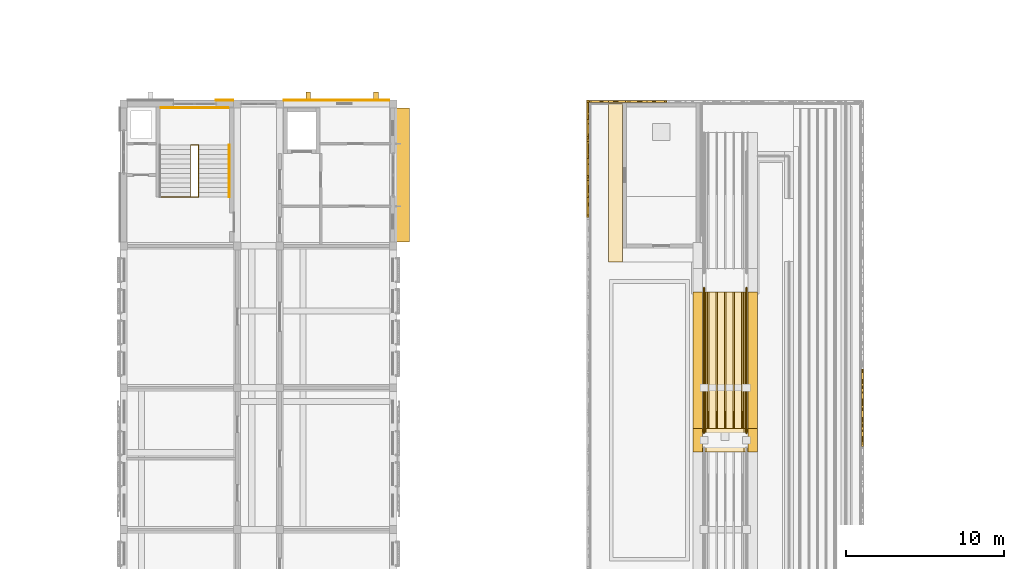
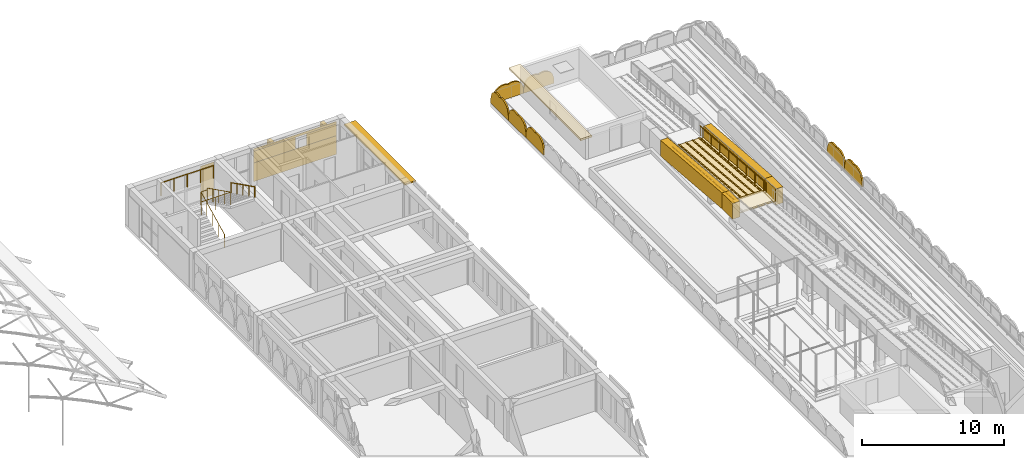
# One storey, part 49 of 50: 21 coverings, 8 shading devices, 5 railings.
"""IFC4 building model written with IfcOpenShell, lengths in metres."""

from ifc_helpers import new_model, si_unit, direction, frame, origin, origin_2d, place, context, subcontext, project, spatial, polyline, rectangle, circle, outline, extrude, material, layer, layer_set, type_object, element, save


model = new_model("IFC4")

# Units and contexts
model_context = context("Model", 3, precision=1e-05, world=origin(), true_north=direction((0.0, 1.0)))
body_context = subcontext(model_context, "Body", "Model", "MODEL_VIEW")
ifc_project = project(units=[si_unit("LENGTHUNIT", "METRE"), si_unit("AREAUNIT", "SQUARE_METRE"), si_unit("VOLUMEUNIT", "CUBIC_METRE"), si_unit("PLANEANGLEUNIT", "RADIAN"), si_unit("MASSUNIT", "GRAM", prefix="KILO")], contexts=[model_context])

# Site, building, storey
site_placement = place(None, origin())
site = spatial("IfcSite", under=ifc_project, at=site_placement, CompositionType="ELEMENT")
building_placement = place(site_placement, origin())
building = spatial("IfcBuilding", under=site, at=building_placement, Name="Elbe Cascade School", CompositionType="ELEMENT")
storey_placement = place(building_placement, frame((0.0, 0.0, 15.300048828125)))
storey = spatial("IfcBuildingStorey", under=building, at=storey_placement, Name="L04", CompositionType="ELEMENT", Elevation=15.300048828125)

# Railings
ifc_material_1 = material(Name="Steel S355J2H, painted", Category="steel")
railing_type_1 = type_object("IfcRailingType", Name="Bar stair guard 1100", PredefinedType="GUARDRAIL", material=ifc_material_1)
railing_1_placement = place(storey_placement, frame((73.25, 54.10009765625, 0.14990234375)))
element("IfcRailing", 1, at=railing_1_placement, inside=storey, type_object=railing_type_1, Name="Stair guard A4.N", PredefinedType="GUARDRAIL", context=body_context, shape_type="SweptSolid", body=[
    extrude(circle(Radius=0.02392578125, at=origin_2d()), frame((0.0, 0.0, 1.09619140625), z_axis=(0.0, 0.894400720042, 0.447266533499), x_axis=(-1.0, 0.0, 0.0)), (0.0, 0.0, 1.0), 3.689453125),
    extrude(circle(Radius=0.02392578125, at=origin_2d()), frame((0.0, 3.2998046875, 2.74609375), z_axis=(1.0, 0.0, 0.0), x_axis=(0.0, 1.0, 0.0)), (0.0, 0.0, 1.0), 0.5),
    extrude(circle(Radius=0.02392578125, at=origin_2d()), frame((0.5, 3.2998046875, 2.74609375), z_axis=(0.0, 0.0, 1.0), x_axis=(1.0, 0.0, 0.0)), (0.0, 0.0, 1.0), 0.14990234375),
    extrude(circle(Radius=0.02392578125, at=origin_2d()), frame((0.5, 3.2998046875, 2.89599609375), z_axis=(0.0, -0.894427191, 0.4472135955), x_axis=(1.0, 0.0, 0.0)), (0.0, 0.0, 1.0), 3.689208984375),
    extrude(circle(Radius=0.02392578125, at=origin_2d()), frame((0.5, 0.0, 4.5458984375), z_axis=(-1.0, 0.0, 0.0), x_axis=(0.0, -1.0, 0.0)), (0.0, 0.0, 1.0), 2.389892578125),
    extrude(circle(Radius=0.02099609375, at=origin_2d()), origin(), (0.0, 0.0, 1.0), 1.072021484375),
    extrude(circle(Radius=0.02099609375, at=origin_2d()), frame((0.0, 0.824951171875, 0.41259765625)), (0.0, 0.0, 1.0), 1.072021484375),
    extrude(circle(Radius=0.02099609375, at=origin_2d()), frame((0.0, 1.64990234375, 0.8251953125)), (0.0, 0.0, 1.0), 1.072021484375),
    extrude(circle(Radius=0.02099609375, at=origin_2d()), frame((0.0, 2.474853515625, 1.237548828125)), (0.0, 0.0, 1.0), 1.072021484375),
    extrude(circle(Radius=0.02099609375, at=origin_2d()), frame((0.0, 3.2998046875, 1.650146484375)), (0.0, 0.0, 1.0), 1.072021484375),
    extrude(circle(Radius=0.02099609375, at=origin_2d()), frame((0.5, 3.2998046875, 1.650146484375)), (0.0, 0.0, 1.0), 1.072021484375),
    extrude(circle(Radius=0.02099609375, at=origin_2d()), frame((0.5, 3.2998046875, 1.800048828125)), (0.0, 0.0, 1.0), 1.072021484375),
    extrude(circle(Radius=0.02099609375, at=origin_2d()), frame((0.5, 2.474853515625, 2.21240234375)), (0.0, 0.0, 1.0), 1.072021484375),
    extrude(circle(Radius=0.02099609375, at=origin_2d()), frame((0.5, 1.64990234375, 2.625)), (0.0, 0.0, 1.0), 1.072021484375),
    extrude(circle(Radius=0.02099609375, at=origin_2d()), frame((0.5, 0.824951171875, 3.03759765625)), (0.0, 0.0, 1.0), 1.072021484375),
    extrude(circle(Radius=0.02099609375, at=origin_2d()), frame((0.5, 0.0, 3.449951171875)), (0.0, 0.0, 1.0), 1.072021484375),
    extrude(circle(Radius=0.02099609375, at=origin_2d()), frame((-0.69482421875, 0.0, 3.449951171875)), (0.0, 0.0, 1.0), 1.072021484375),
    extrude(circle(Radius=0.02099609375, at=origin_2d()), frame((-1.889892578125, 0.0, 3.449951171875)), (0.0, 0.0, 1.0), 1.072021484375),
])
railing_2_placement = place(storey_placement, frame((71.360107421875, 59.760009765625, 1.800048828125)))
element("IfcRailing", 2, at=railing_2_placement, inside=storey, type_object=railing_type_1, Name="Stair guard A4.N", PredefinedType="GUARDRAIL", context=body_context, shape_type="SweptSolid", body=[
    extrude(circle(Radius=0.02392578125, at=origin_2d()), frame((0.0, 0.0, 1.09619140625), z_axis=(1.0, 0.0, 0.0), x_axis=(0.0, 1.0, 0.0)), (0.0, 0.0, 1.0), 4.27978515625),
    extrude(circle(Radius=0.02099609375, at=origin_2d()), origin(), (0.0, 0.0, 1.0), 1.072021484375),
    extrude(circle(Radius=0.02099609375, at=origin_2d()), frame((1.06982421875, 0.0, 0.0)), (0.0, 0.0, 1.0), 1.072021484375),
    extrude(circle(Radius=0.02099609375, at=origin_2d()), frame((2.139892578125, 0.0, 0.0)), (0.0, 0.0, 1.0), 1.072021484375),
    extrude(circle(Radius=0.02099609375, at=origin_2d()), frame((3.2099609375, 0.0, 0.0)), (0.0, 0.0, 1.0), 1.072021484375),
    extrude(circle(Radius=0.02099609375, at=origin_2d()), frame((4.27978515625, 0.0, 0.0)), (0.0, 0.0, 1.0), 1.072021484375),
])
ifc_material_2 = material(Name="Steel S355J2H, painted", Category="steel")
railing_type_2 = type_object("IfcRailingType", Name="Bar stair handrail 900", PredefinedType="HANDRAIL", material=ifc_material_2)
railing_3_placement = place(storey_placement, frame((75.699951171875, 57.39990234375, 1.949951171875)))
element("IfcRailing", 3, at=railing_3_placement, inside=storey, type_object=railing_type_2, Name="Stair handrail A4.N", PredefinedType="HANDRAIL", context=body_context, shape_type="SweptSolid", body=[
    extrude(circle(Radius=0.02392578125, at=origin_2d()), frame((0.0, 0.0, 0.8759765625), z_axis=(0.0, -0.894427191, 0.4472135955), x_axis=(1.0, 0.0, 0.0)), (0.0, 0.0, 1.0), 3.689208984375),
    extrude(circle(Radius=0.02099609375, at=origin_2d()), origin(), (0.0, 0.0, 1.0), 0.851806640625),
    extrude(circle(Radius=0.02099609375, at=origin_2d()), frame((0.0, -0.824951171875, 0.41259765625)), (0.0, 0.0, 1.0), 0.851806640625),
    extrude(circle(Radius=0.02099609375, at=origin_2d()), frame((0.0, -1.64990234375, 0.824951171875)), (0.0, 0.0, 1.0), 0.851806640625),
    extrude(circle(Radius=0.02099609375, at=origin_2d()), frame((0.0, -2.474853515625, 1.2373046875)), (0.0, 0.0, 1.0), 0.851806640625),
    extrude(circle(Radius=0.02099609375, at=origin_2d()), frame((0.0, -3.2998046875, 1.64990234375)), (0.0, 0.0, 1.0), 0.851806640625),
])

# Shading devices
ifc_material_3 = material(Name="Precast concrete C40/50", Category="concrete")
ifc_layer_1 = layer(ifc_material_3, 0.1201171875)
ifc_layer_set_1 = layer_set([ifc_layer_1], Name="Precast concrete C40/50")
shading_device_type_1 = type_object("IfcShadingDeviceType", Name="Bars envelope Attic jali screen, pointed arch top, pierced precast concrete, 1200 high", PredefinedType="USERDEFINED", material=ifc_layer_set_1)
shading_device_1_placement = place(storey_placement, frame((98.3798828125, 52.818115234375, 0.39990234375), z_axis=(-1.0, 0.0, 0.0), x_axis=(0.0, 0.296914729778, 0.954903996871)))
element("IfcShadingDevice", 4, at=shading_device_1_placement, inside=storey, type_object=shading_device_type_1, Name="Attic jali screen SD1 B.L04.w20", ObjectType="JALI", PredefinedType="USERDEFINED", context=body_context, shape_type="SweptSolid", body=[
    extrude(outline(polyline([(0.0, 0.0), (0.5213118135497831, 2.7755575615628914e-17), (0.730927669136395, 0.09691772307437502), (0.8774375509870718, 0.2137130818339548), (0.9849420905019789, 0.3423809640007578), (1.0621396183974305, 0.48047240936850977), (1.1125995865002938, 0.6271332145803277), (1.1364101477737811, 0.7818246289712897), (1.1317787442967022, 0.9453596949816039), (1.2283261334568831, 1.0774345576902884), (1.296431557866498, 1.218353072018325), (1.3379600643944363, 1.3675353263841168), (1.3526785221820867, 1.5250538097353636), (1.3371624572979814, 1.6922289871461704), (1.282641050078106, 1.8712766879642004), (1.1649411801745964, 2.069968893608824), (0.7355453523079154, 2.365578822327823), (0.3536770059027736, 2.4843157186597797), (-0.3818683464051418, 0.11873689633195678), (0.0, 0.0)])), origin(), (0.0, 0.0, -1.0), 0.1201171875),
])
shading_device_2_placement = place(storey_placement, frame((98.3798828125, 55.29541015625, 0.39990234375), z_axis=(-1.0, 0.0, 0.0), x_axis=(0.0, 0.296914729778, 0.954903996871)))
element("IfcShadingDevice", 5, at=shading_device_2_placement, inside=storey, type_object=shading_device_type_1, Name="Attic jali screen SD1 B.L04.w21", ObjectType="JALI", PredefinedType="USERDEFINED", context=body_context, shape_type="SweptSolid", body=[
    extrude(outline(polyline([(0.0, 0.0), (0.5213118135497831, 2.7755575615628914e-17), (0.730927669136395, 0.09691772307437502), (0.8774375509870718, 0.2137130818339548), (0.9849420905019789, 0.3423809640007578), (1.0621396183974305, 0.48047240936850977), (1.1125270975525943, 0.6269000837217165), (1.1364101477737811, 0.7818246289712897), (1.1317787442967022, 0.9453596949816039), (1.2283261334568831, 1.0774345576902884), (1.296431557866498, 1.218353072018325), (1.3379600643944363, 1.3675353263841168), (1.3526785221820867, 1.5250538097353636), (1.3370899683502817, 1.6919958562875592), (1.282641050078106, 1.8712766879642004), (1.1649411801745964, 2.069968893608824), (0.7355453523079154, 2.365578822327823), (0.3536770059027736, 2.4843157186597797), (-0.3818683464051418, 0.11873689633195678), (0.0, 0.0)])), origin(), (0.0, 0.0, -1.0), 0.1201171875),
])
shading_device_3_placement = place(storey_placement, frame((98.3798828125, 57.772705078125, 0.39990234375), z_axis=(-1.0, 0.0, 0.0), x_axis=(0.0, 0.296914729778, 0.954903996871)))
element("IfcShadingDevice", 6, at=shading_device_3_placement, inside=storey, type_object=shading_device_type_1, Name="Attic jali screen SD1 B.L04.w22", ObjectType="JALI", PredefinedType="USERDEFINED", context=body_context, shape_type="SweptSolid", body=[
    extrude(outline(polyline([(0.0, 0.0), (0.5213118135497831, 2.7755575615628914e-17), (0.7310001580840946, 0.09715085393298623), (0.8774375509870718, 0.2137130818339548), (0.9849420905019789, 0.3423809640007578), (1.0621396183974305, 0.48047240936850977), (1.1125270975525943, 0.6269000837217165), (1.1363376588260814, 0.7815914981126785), (1.1317787442967022, 0.9453596949816039), (1.2283261334568831, 1.0774345576902884), (1.296431557866498, 1.218353072018325), (1.3379600643944363, 1.3675353263841168), (1.3526785221820867, 1.5250538097353636), (1.3370899683502817, 1.6919958562875592), (1.2825685611304065, 1.8710435571055892), (1.1649411801745964, 2.069968893608824), (0.7355453523079154, 2.365578822327823), (0.3536770059027736, 2.4843157186597797), (-0.3818683464051418, 0.11873689633195678), (0.0, 0.0)])), origin(), (0.0, 0.0, -1.0), 0.1201171875),
])
shading_device_4_placement = place(storey_placement, frame((115.919921875, 38.28564453125, 0.0), z_axis=(1.0, 0.0, 0.0), x_axis=(0.0, 1.0, 0.0)))
element("IfcShadingDevice", 7, at=shading_device_4_placement, inside=storey, type_object=shading_device_type_1, Name="Attic jali screen SD1 B.L04.e14", ObjectType="JALI", PredefinedType="USERDEFINED", context=body_context, shape_type="SweptSolid", body=[
    extrude(outline(polyline([(0.0, 0.0), (2.440673828125, 0.0), (2.440673828125, 0.39990234375), (2.2880859375, 0.892822265625), (2.135498046875, 1.062744140625), (1.98291015625, 1.16748046875), (1.83056640625, 1.23193359375), (1.677734375, 1.265380859375), (1.525390625, 1.271240234375), (1.372802734375, 1.250244140625), (1.220458984375, 1.199951171875), (1.06787109375, 1.250244140625), (0.915283203125, 1.271240234375), (0.7626953125, 1.265380859375), (0.610107421875, 1.23193359375), (0.457763671875, 1.16748046875), (0.30517578125, 1.062744140625), (0.152587890625, 0.892822265625), (0.0, 0.39990234375), (0.0, 0.0)])), origin(), (0.0, 0.0, -1.0), 0.1201171875),
])
shading_device_5_placement = place(storey_placement, frame((115.919921875, 40.726318359375, 0.0), z_axis=(1.0, 0.0, 0.0), x_axis=(0.0, 1.0, 0.0)))
element("IfcShadingDevice", 8, at=shading_device_5_placement, inside=storey, type_object=shading_device_type_1, Name="Attic jali screen SD1 B.L04.e15", ObjectType="JALI", PredefinedType="USERDEFINED", context=body_context, shape_type="SweptSolid", body=[
    extrude(outline(polyline([(0.0, 0.0), (2.4404296875, 0.0), (2.4404296875, 0.39990234375), (2.287841796875, 0.892822265625), (2.13525390625, 1.062744140625), (1.982666015625, 1.16748046875), (1.830078125, 1.23193359375), (1.677734375, 1.265380859375), (1.525146484375, 1.271240234375), (1.372802734375, 1.250244140625), (1.219970703125, 1.199951171875), (1.067626953125, 1.250244140625), (0.9150390625, 1.271240234375), (0.762451171875, 1.265380859375), (0.60986328125, 1.23193359375), (0.45751953125, 1.16748046875), (0.304931640625, 1.062744140625), (0.15234375, 0.892822265625), (0.0, 0.39990234375), (0.0, 0.0)])), origin(), (0.0, 0.0, -1.0), 0.1201171875),
])
shading_device_6_placement = place(storey_placement, frame((98.5, 60.219970703125, 0.39990234375), z_axis=(0.0, 1.0, 0.0), x_axis=(0.296885994804, 0.0, 0.954912931156)))
element("IfcShadingDevice", 9, at=shading_device_6_placement, inside=storey, type_object=shading_device_type_1, Name="Attic jali screen SD1 B.L04.n1", ObjectType="JALI", PredefinedType="USERDEFINED", context=body_context, shape_type="SweptSolid", body=[
    extrude(outline(polyline([(0.0, 0.0), (0.5205399322619295, 0.0), (0.7297747744144588, 0.09653024661443438), (0.8759030447045664, 0.21293622992885647), (0.9833312303823933, 0.34137421400927725), (1.060612771989436, 0.4789292343198281), (1.1111564959480074, 0.6250528098876207), (1.1353561864054482, 0.7793668438081713), (1.1308080310311026, 0.9423630223649005), (1.227045830796945, 1.0742801391969354), (1.2946082666633263, 1.2151125337049815), (1.3358266690285774, 1.3641353865657857), (1.350162289880706, 1.521260528604166), (1.3344962305267012, 1.6879689729523422), (1.280130086560416, 1.8667094180665167), (1.162512406867058, 2.0648593338010137), (0.7337346009289507, 2.3600057622296102), (0.3518626816824722, 2.4787311673784416), (-0.3818719192464785, 0.1187254051488315), (0.0, 0.0)])), origin(), (0.0, 0.0, -1.0), 0.1201171875),
])
shading_device_7_placement = place(storey_placement, frame((100.971435546875, 60.219970703125, 0.39990234375), z_axis=(0.0, 1.0, 0.0), x_axis=(0.296885994804, 0.0, 0.954912931156)))
element("IfcShadingDevice", 10, at=shading_device_7_placement, inside=storey, type_object=shading_device_type_1, Name="Attic jali screen SD1 B.L04.n2", ObjectType="JALI", PredefinedType="USERDEFINED", context=body_context, shape_type="SweptSolid", body=[
    extrude(outline(polyline([(0.0, 0.0), (0.5205399322619295, 0.0), (0.7298472563467842, 0.0967633796542674), (0.8759030447045664, 0.21293622992885647), (0.9833312303823933, 0.34137421400927725), (1.0606852539217615, 0.47916236735966106), (1.1111564959480074, 0.6250528098876207), (1.1353561864054482, 0.7793668438081713), (1.1308080310311026, 0.9423630223649005), (1.227045830796945, 1.0742801391969354), (1.2946082666633263, 1.2151125337049815), (1.335754187096252, 1.3639022535259528), (1.350162289880706, 1.521260528604166), (1.3344962305267012, 1.6879689729523422), (1.2800576046280905, 1.8664762850266836), (1.162512406867058, 2.0648593338010137), (0.7337346009289507, 2.3600057622296102), (0.3518626816824722, 2.4787311673784416), (-0.3818719192464785, 0.1187254051488315), (0.0, 0.0)])), origin(), (0.0, 0.0, -1.0), 0.1201171875),
])
ifc_material_4 = material(Name="Precast concrete C30/37", Category="concrete")
ifc_layer_2 = layer(ifc_material_4, 0.1201171875)
ifc_layer_set_2 = layer_set([ifc_layer_2], Name="Precast concrete C30/37")
shading_device_type_2 = type_object("IfcShadingDeviceType", Name="Bars envelope Chhajja eave, precast concrete, 900 x 120", PredefinedType="USERDEFINED", material=ifc_layer_set_2)
shading_device_8_placement = place(storey_placement, frame((86.669921875, 55.5, 2.6298828125), z_axis=(0.0, 0.0, 1.0), x_axis=(0.0, 1.0, 0.0)))
element("IfcShadingDevice", 11, at=shading_device_8_placement, inside=storey, type_object=shading_device_type_2, Name="Chhajja eave SD2 A.L04.e6", ObjectType="CHHAJJA", PredefinedType="USERDEFINED", context=body_context, shape_type="SweptSolid", body=[
    extrude(rectangle(XDim=8.5, YDim=0.89990234375, at=origin_2d()), origin(), (0.0, 0.0, 1.0), 0.1201171875),
])

# Coverings
ifc_material_5 = material(Name="Precast concrete C40/50", Category="concrete")
covering_type_1 = type_object("IfcCoveringType", Name="Bars envelope Precast concrete gable fin, 300 wide, 500 deep", PredefinedType="CLADDING", material=ifc_material_5)
for number, where, z_axis, x_axis, name in (
    (12, (80.699951171875, 60.510009765625, 0.0), (0.0, 0.0, 1.0), (1.0, 0.0, 0.0), "Fin CV50 A.L04.n.2"),
    (13, (85.0, 60.510009765625, 0.0), (0.0, 0.0, 1.0), (1.0, 0.0, 0.0), "Fin CV50 A.L04.n.3"),
):
    element("IfcCovering", number, at=place(storey_placement, frame(where, z_axis=z_axis, x_axis=x_axis)), inside=storey, type_object=covering_type_1, Name=name, PredefinedType="CLADDING", context=body_context, shape_type="SweptSolid", body=[
        extrude(rectangle(XDim=0.300048828125, YDim=0.5, at=origin_2d()), origin(), (0.0, 0.0, 1.0), 2.800048828125),
    ])
ifc_material_6 = material(Name="Sandstone - red", Category="masonry")
ifc_layer_3 = layer(ifc_material_6, 0.0400390625)
ifc_layer_set_3 = layer_set([ifc_layer_3], Name="Sandstone - red")
covering_type_2 = type_object("IfcCoveringType", Name="Bars envelope Sandstone cladding, red, 40 mm", PredefinedType="CLADDING", material=ifc_layer_set_3)
covering_1_placement = place(storey_placement, frame((75.39990234375, 60.239990234375, 0.0), z_axis=(0.0, 0.0, 1.0), x_axis=(1.0, 0.0, 0.0)))
element("IfcCovering", 14, at=covering_1_placement, inside=storey, type_object=covering_type_2, Name="Sandstone cladding CV48 A.L04.n.1b.1", PredefinedType="CLADDING", context=body_context, shape_type="SweptSolid", body=[
    extrude(rectangle(XDim=1.10009765625, YDim=0.0400390625, at=origin_2d()), origin(), (0.0, 0.0, 1.0), 2.800048828125),
])
covering_2_placement = place(storey_placement, frame((82.5, 60.239990234375, 0.0), z_axis=(0.0, 0.0, 1.0), x_axis=(1.0, 0.0, 0.0)))
element("IfcCovering", 15, at=covering_2_placement, inside=storey, type_object=covering_type_2, Name="Sandstone cladding CV48 A.L04.n.3.1", PredefinedType="CLADDING", context=body_context, shape_type="SweptSolid", body=[
    extrude(rectangle(XDim=6.699951171875, YDim=0.0400390625, at=origin_2d()), origin(), (0.0, 0.0, 1.0), 1.60009765625),
])
covering_3_placement = place(storey_placement, frame((80.85009765625, 60.239990234375, 1.599853515625), z_axis=(0.0, 0.0, 1.0), x_axis=(1.0, 0.0, 0.0)))
element("IfcCovering", 16, at=covering_3_placement, inside=storey, type_object=covering_type_2, Name="Sandstone cladding CV48 A.L04.n.3.2", PredefinedType="CLADDING", context=body_context, shape_type="SweptSolid", body=[
    extrude(rectangle(XDim=3.39990234375, YDim=0.0400390625, at=origin_2d()), origin(), (0.0, 0.0, 1.0), 1.0),
])
covering_4_placement = place(storey_placement, frame((84.64990234375, 60.239990234375, 1.599853515625), z_axis=(0.0, 0.0, 1.0), x_axis=(1.0, 0.0, 0.0)))
element("IfcCovering", 17, at=covering_4_placement, inside=storey, type_object=covering_type_2, Name="Sandstone cladding CV48 A.L04.n.3.3", PredefinedType="CLADDING", context=body_context, shape_type="SweptSolid", body=[
    extrude(rectangle(XDim=2.39990234375, YDim=0.0400390625, at=origin_2d()), origin(), (0.0, 0.0, 1.0), 1.0),
])
covering_5_placement = place(storey_placement, frame((82.5, 60.239990234375, 2.60009765625), z_axis=(0.0, 0.0, 1.0), x_axis=(1.0, 0.0, 0.0)))
element("IfcCovering", 18, at=covering_5_placement, inside=storey, type_object=covering_type_2, Name="Sandstone cladding CV48 A.L04.n.3.4", PredefinedType="CLADDING", context=body_context, shape_type="SweptSolid", body=[
    extrude(rectangle(XDim=6.699951171875, YDim=0.0400390625, at=origin_2d()), origin(), (0.0, 0.0, 1.0), 0.199951171875),
])
ifc_material_7 = material(Name="Running track surfacing - white lines", Category="surfacing")
ifc_layer_4 = layer(ifc_material_7, 0.02001953125)
ifc_layer_set_4 = layer_set([ifc_layer_4], Name="Running track surfacing - white lines")
covering_type_3 = type_object("IfcCoveringType", Name="Lane marking 80", PredefinedType="FLOORING", material=ifc_layer_set_4)
covering_6_placement = place(storey_placement, frame((106.030029296875, 39.419921875, 1.679931640625), z_axis=(0.0, 0.083040819057, 0.996546146634), x_axis=(0.0, 0.996546146634, -0.083040819057)))
element("IfcCovering", 19, at=covering_6_placement, inside=storey, type_object=covering_type_3, Name="Lane marking B ramp flight 4 line 1", PredefinedType="FLOORING", context=body_context, shape_type="SweptSolid", body=[
    extrude(outline(polyline([(0.0, 0.0), (8.670081910342619, 0.0), (8.670081910342619, -0.080078125), (0.0, -0.080078125), (0.0, 0.0)])), origin(), (0.083040819057, 0.0, -0.996546146634), 0.02001953125),
])
for number, where, z_axis, x_axis, name in (
    (20, (106.570068359375, 39.419921875, 1.679931640625), (0.0, 0.083040819057, 0.996546146634), (0.0, 0.996546146634, -0.083040819057), "Lane marking B ramp flight 4 line 2"),
    (21, (107.110107421875, 39.419921875, 1.679931640625), (0.0, 0.083040819057, 0.996546146634), (0.0, 0.996546146634, -0.083040819057), "Lane marking B ramp flight 4 line 3"),
):
    element("IfcCovering", number, at=place(storey_placement, frame(where, z_axis=z_axis, x_axis=x_axis)), inside=storey, type_object=covering_type_3, Name=name, PredefinedType="FLOORING", context=body_context, shape_type="SweptSolid", body=[
        extrude(outline(polyline([(0.0, 0.0), (8.670081910342619, 0.0), (8.670081910342619, -0.079833984375), (0.0, -0.079833984375), (0.0, 0.0)])), origin(), (0.083040819057, 0.0, -0.996546146634), 0.02001953125),
    ])
for number, where, z_axis, x_axis, name in (
    (22, (107.64990234375, 39.419921875, 1.679931640625), (0.0, 0.083040819057, 0.996546146634), (0.0, 0.996546146634, -0.083040819057), "Lane marking B ramp flight 4 line 4"),
    (23, (108.18994140625, 39.419921875, 1.679931640625), (0.0, 0.083040819057, 0.996546146634), (0.0, 0.996546146634, -0.083040819057), "Lane marking B ramp flight 4 line 5"),
):
    element("IfcCovering", number, at=place(storey_placement, frame(where, z_axis=z_axis, x_axis=x_axis)), inside=storey, type_object=covering_type_3, Name=name, PredefinedType="FLOORING", context=body_context, shape_type="SweptSolid", body=[
        extrude(outline(polyline([(0.0, 0.0), (8.670081910342619, 0.0), (8.670081910342619, -0.080078125), (0.0, -0.080078125), (0.0, 0.0)])), origin(), (0.083040819057, 0.0, -0.996546146634), 0.02001953125),
    ])
ifc_material_8 = material(Name="Concrete C30/37 precast parapet", Category="concrete")
ifc_layer_5 = layer(ifc_material_8, 0.60009765625)
ifc_layer_set_5 = layer_set([ifc_layer_5], Name="Concrete C30/37 precast parapet")
covering_type_4 = type_object("IfcCoveringType", Name="Ramp and bridge parapet 600", PredefinedType="CLADDING", material=ifc_layer_set_5)
covering_7_placement = place(storey_placement, frame((0.0, 0.0, 1.199951171875)))
element("IfcCovering", 24, at=covering_7_placement, inside=storey, type_object=covering_type_4, Name="Ramp B landing 4 parapet w1", PredefinedType="CLADDING", context=body_context, shape_type="SweptSolid", body=[
    extrude(outline(polyline([(105.10009765625, 37.919921875), (105.699951171875, 37.919921875), (105.699951171875, 39.419921875), (105.10009765625, 39.419921875), (105.10009765625, 37.919921875)])), origin(), (0.0, 0.0, 1.0), 1.360107421875),
])
covering_8_placement = place(storey_placement, frame((105.10009765625, 39.419921875, 2.56005859375), z_axis=(0.0, 0.083068783756, 0.996543815979), x_axis=(0.0, 0.996543815979, -0.083068783756)))
element("IfcCovering", 25, at=covering_8_placement, inside=storey, type_object=covering_type_4, Name="Ramp B flight 4 parapet w1", PredefinedType="CLADDING", context=body_context, shape_type="SweptSolid", body=[
    extrude(outline(polyline([(0.0, 0.0), (8.670102187393748, 0.0), (8.670102187393748, -0.5998535156250001), (0.0, -0.5998535156250001), (0.0, 0.0)])), origin(), (0.083068783756, 0.0, -0.996543815979), 1.360107421875),
])
covering_9_placement = place(storey_placement, frame((0.0, 0.0, 1.199951171875)))
element("IfcCovering", 26, at=covering_9_placement, inside=storey, type_object=covering_type_4, Name="Ramp B landing 4 parapet e1", PredefinedType="CLADDING", context=body_context, shape_type="SweptSolid", body=[
    extrude(outline(polyline([(108.60009765625, 37.919921875), (109.199951171875, 37.919921875), (109.199951171875, 39.419921875), (108.60009765625, 39.419921875), (108.60009765625, 37.919921875)])), origin(), (0.0, 0.0, 1.0), 1.360107421875),
])
covering_10_placement = place(storey_placement, frame((108.60009765625, 39.419921875, 2.56005859375), z_axis=(0.0, 0.083068783756, 0.996543815979), x_axis=(0.0, 0.996543815979, -0.083068783756)))
element("IfcCovering", 27, at=covering_10_placement, inside=storey, type_object=covering_type_4, Name="Ramp B flight 4 parapet e1", PredefinedType="CLADDING", context=body_context, shape_type="SweptSolid", body=[
    extrude(outline(polyline([(0.0, 0.0), (8.670102187393748, 0.0), (8.670102187393748, -0.5998535156250001), (0.0, -0.5998535156250001), (0.0, 0.0)])), origin(), (0.083068783756, 0.0, -0.996543815979), 1.360107421875),
])
ifc_material_9 = material(Name="Precast concrete C30/37", Category="concrete")
ifc_layer_6 = layer(ifc_material_9, 0.14990234375)
ifc_layer_set_6 = layer_set([ifc_layer_6], Name="Precast concrete C30/37")
covering_type_5 = type_object("IfcCoveringType", Name="Roof head eave, precast concrete, 900 x 150", PredefinedType="USERDEFINED", material=ifc_layer_set_6)
covering_11_placement = place(storey_placement, frame((0.0, 0.0, 2.5)))
element("IfcCovering", 28, at=covering_11_placement, inside=storey, type_object=covering_type_5, Name="Stair head eave B.L04.north.w", ObjectType="EAVE", PredefinedType="USERDEFINED", context=body_context, shape_type="SweptSolid", body=[
    extrude(outline(polyline([(99.75, 49.97509765625), (100.64990234375, 49.97509765625), (100.64990234375, 60.070068359375), (99.75, 60.070068359375), (99.75, 49.97509765625)])), origin(), (0.0, 0.0, 1.0), 0.14990234375),
])
ifc_material_10 = material(Name="Running track surfacing - red", Category="surfacing")
ifc_layer_7 = layer(ifc_material_10, 0.10009765625)
ifc_layer_set_7 = layer_set([ifc_layer_7], Name="Running track surfacing - red")
covering_type_6 = type_object("IfcCoveringType", Name="Running track band 100", PredefinedType="USERDEFINED", material=ifc_layer_set_7)
covering_12_placement = place(storey_placement, frame((0.0, 0.0, 1.56005859375)))
element("IfcCovering", 29, at=covering_12_placement, inside=storey, type_object=covering_type_6, Name="Running track band B ramp landing 4", ObjectType="RUNNING TRACK", PredefinedType="USERDEFINED", context=body_context, shape_type="SweptSolid", body=[
    extrude(outline(polyline([(108.35009765625, 37.919921875), (108.35009765625, 39.419921875), (105.949951171875, 39.419921875), (105.949951171875, 37.919921875), (108.35009765625, 37.919921875)])), origin(), (0.0, 0.0, 1.0), 0.099853515625),
])
covering_13_placement = place(storey_placement, frame((105.949951171875, 39.419921875, 1.659912109375), z_axis=(0.0, 0.083040819057, 0.996546146634), x_axis=(0.0, 0.996546146634, -0.083040819057)))
element("IfcCovering", 30, at=covering_13_placement, inside=storey, type_object=covering_type_6, Name="Running track band B ramp flight 4", ObjectType="RUNNING TRACK", PredefinedType="USERDEFINED", context=body_context, shape_type="SweptSolid", body=[
    extrude(outline(polyline([(0.0, 0.0), (8.670081910342619, 0.0), (8.670081910342619, -2.400146484375), (0.0, -2.400146484375), (0.0, 0.0)])), origin(), (0.083040819057, 0.0, -0.996546146634), 0.10009765625),
])
ifc_material_11 = material(Name="Running track surfacing - red", Category="surfacing")
ifc_layer_8 = layer(ifc_material_11, 0.06005859375)
ifc_layer_set_8 = layer_set([ifc_layer_8], Name="Running track surfacing - red")
covering_type_7 = type_object("IfcCoveringType", Name="Running track surfacing 60", PredefinedType="USERDEFINED", material=ifc_layer_set_8)
covering_14_placement = place(storey_placement, frame((0.0, 0.0, 1.5)))
element("IfcCovering", 31, at=covering_14_placement, inside=storey, type_object=covering_type_7, Name="Running track B ramp landing 4", ObjectType="RUNNING TRACK", PredefinedType="USERDEFINED", context=body_context, shape_type="SweptSolid", body=[
    extrude(outline(polyline([(108.60009765625, 37.919921875), (108.60009765625, 39.419921875), (105.699951171875, 39.419921875), (105.699951171875, 37.919921875), (108.60009765625, 37.919921875)])), origin(), (0.0, 0.0, 1.0), 0.06005859375),
])
covering_15_placement = place(storey_placement, frame((105.699951171875, 39.419921875, 1.56005859375), z_axis=(0.0, 0.083068783756, 0.996543815979), x_axis=(0.0, 0.996543815979, -0.083068783756)))
element("IfcCovering", 32, at=covering_15_placement, inside=storey, type_object=covering_type_7, Name="Running track B ramp flight 4", ObjectType="RUNNING TRACK", PredefinedType="USERDEFINED", context=body_context, shape_type="SweptSolid", body=[
    extrude(outline(polyline([(0.0, 0.0), (8.670102187393748, 0.0), (8.670102187393748, -2.9001464843750004), (0.0, -2.9001464843750004), (0.0, 0.0)])), origin(), (0.083068783756, 0.0, -0.996543815979), 0.06005859375),
])

# Railings
ifc_material_12 = material(Name="Steel S355J2H", Category="steel")
railing_type_3 = type_object("IfcRailingType", Name="Track handrail 900", PredefinedType="HANDRAIL", material=ifc_material_12)
railing_4_placement = place(storey_placement, frame((108.5, 39.1201171875, 1.56005859375)))
element("IfcRailing", 33, at=railing_4_placement, inside=storey, type_object=railing_type_3, Name="Track handrail RL5 A-B south and east flight 4", PredefinedType="HANDRAIL", context=body_context, shape_type="SweptSolid", body=[
    extrude(circle(Radius=0.0400390625, at=origin_2d()), frame((0.0, 0.0, 0.85986328125), z_axis=(0.0, 1.0, 0.0), x_axis=(-1.0, 0.0, 0.0)), (0.0, 0.0, 1.0), 0.2998046875),
    extrude(circle(Radius=0.0400390625, at=origin_2d()), frame((0.0, 0.2998046875, 0.85986328125), z_axis=(0.0, 0.996543815979, -0.083068783756), x_axis=(-1.0, 0.0, 0.0)), (0.0, 0.0, 1.0), 8.670166015625),
    extrude(circle(Radius=0.0400390625, at=origin_2d()), frame((0.0, 8.93994140625, 0.1396484375), z_axis=(0.0, 1.0, 0.0), x_axis=(-1.0, 0.0, 0.0)), (0.0, 0.0, 1.0), 0.300048828125),
    extrude(circle(Radius=0.02099609375, at=origin_2d()), origin(), (0.0, 0.0, 1.0), 0.81982421875),
    extrude(circle(Radius=0.02099609375, at=origin_2d()), frame((0.0, 0.2998046875, 0.0)), (0.0, 0.0, 1.0), 0.81982421875),
    extrude(circle(Radius=0.02099609375, at=origin_2d()), frame((0.0, 1.5341796875, -0.102783203125)), (0.0, 0.0, 1.0), 0.81982421875),
    extrude(circle(Radius=0.02099609375, at=origin_2d()), frame((0.0, 2.768310546875, -0.205810546875)), (0.0, 0.0, 1.0), 0.81982421875),
    extrude(circle(Radius=0.02099609375, at=origin_2d()), frame((0.0, 4.002685546875, -0.30859375)), (0.0, 0.0, 1.0), 0.81982421875),
    extrude(circle(Radius=0.02099609375, at=origin_2d()), frame((0.0, 5.237060546875, -0.41162109375)), (0.0, 0.0, 1.0), 0.81982421875),
    extrude(circle(Radius=0.02099609375, at=origin_2d()), frame((0.0, 6.471435546875, -0.514404296875)), (0.0, 0.0, 1.0), 0.81982421875),
    extrude(circle(Radius=0.02099609375, at=origin_2d()), frame((0.0, 7.70556640625, -0.617431640625)), (0.0, 0.0, 1.0), 0.81982421875),
    extrude(circle(Radius=0.02099609375, at=origin_2d()), frame((0.0, 8.93994140625, -0.72021484375)), (0.0, 0.0, 1.0), 0.81982421875),
    extrude(circle(Radius=0.02099609375, at=origin_2d()), frame((0.0, 9.239990234375, -0.72021484375)), (0.0, 0.0, 1.0), 0.81982421875),
])
railing_5_placement = place(storey_placement, frame((105.800048828125, 39.1201171875, 1.56005859375)))
element("IfcRailing", 34, at=railing_5_placement, inside=storey, type_object=railing_type_3, Name="Track handrail RL5 A-B north and west flight 4", PredefinedType="HANDRAIL", context=body_context, shape_type="SweptSolid", body=[
    extrude(circle(Radius=0.0400390625, at=origin_2d()), frame((0.0, 0.0, 0.85986328125), z_axis=(0.0, 1.0, 0.0), x_axis=(-1.0, 0.0, 0.0)), (0.0, 0.0, 1.0), 0.2998046875),
    extrude(circle(Radius=0.0400390625, at=origin_2d()), frame((0.0, 0.2998046875, 0.85986328125), z_axis=(0.0, 0.996543815979, -0.083068783756), x_axis=(-1.0, 0.0, 0.0)), (0.0, 0.0, 1.0), 8.670166015625),
    extrude(circle(Radius=0.0400390625, at=origin_2d()), frame((0.0, 8.93994140625, 0.1396484375), z_axis=(0.0, 1.0, 0.0), x_axis=(-1.0, 0.0, 0.0)), (0.0, 0.0, 1.0), 0.300048828125),
    extrude(circle(Radius=0.02099609375, at=origin_2d()), origin(), (0.0, 0.0, 1.0), 0.81982421875),
    extrude(circle(Radius=0.02099609375, at=origin_2d()), frame((0.0, 0.2998046875, 0.0)), (0.0, 0.0, 1.0), 0.81982421875),
    extrude(circle(Radius=0.02099609375, at=origin_2d()), frame((0.0, 1.5341796875, -0.102783203125)), (0.0, 0.0, 1.0), 0.81982421875),
    extrude(circle(Radius=0.02099609375, at=origin_2d()), frame((0.0, 2.768310546875, -0.205810546875)), (0.0, 0.0, 1.0), 0.81982421875),
    extrude(circle(Radius=0.02099609375, at=origin_2d()), frame((0.0, 4.002685546875, -0.30859375)), (0.0, 0.0, 1.0), 0.81982421875),
    extrude(circle(Radius=0.02099609375, at=origin_2d()), frame((0.0, 5.237060546875, -0.41162109375)), (0.0, 0.0, 1.0), 0.81982421875),
    extrude(circle(Radius=0.02099609375, at=origin_2d()), frame((0.0, 6.471435546875, -0.514404296875)), (0.0, 0.0, 1.0), 0.81982421875),
    extrude(circle(Radius=0.02099609375, at=origin_2d()), frame((0.0, 7.70556640625, -0.617431640625)), (0.0, 0.0, 1.0), 0.81982421875),
    extrude(circle(Radius=0.02099609375, at=origin_2d()), frame((0.0, 8.93994140625, -0.72021484375)), (0.0, 0.0, 1.0), 0.81982421875),
    extrude(circle(Radius=0.02099609375, at=origin_2d()), frame((0.0, 9.239990234375, -0.72021484375)), (0.0, 0.0, 1.0), 0.81982421875),
])

save(model, "model.ifc")
